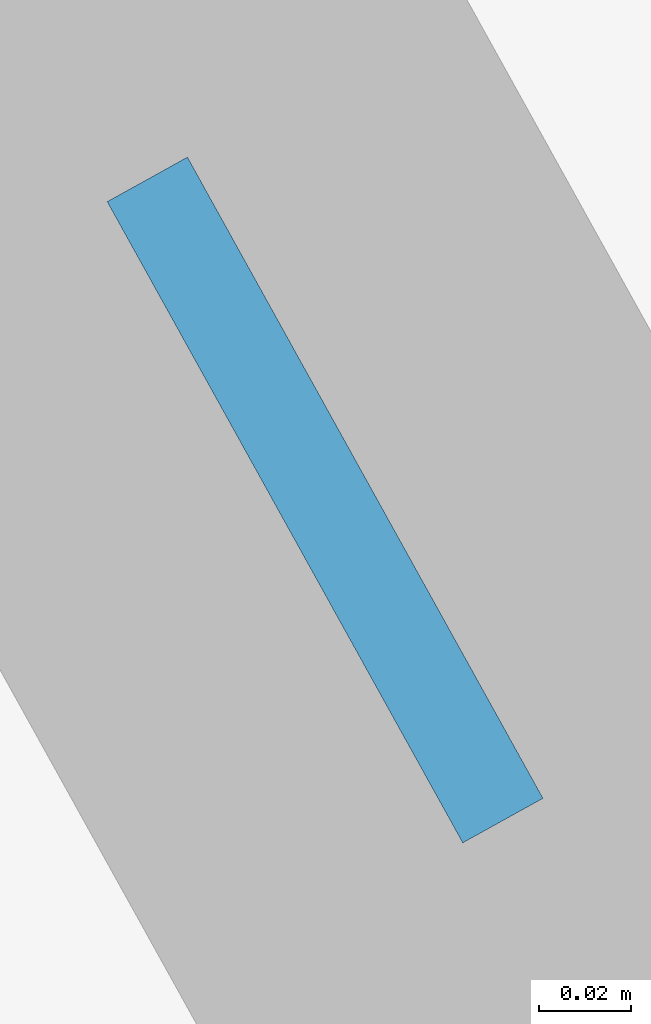
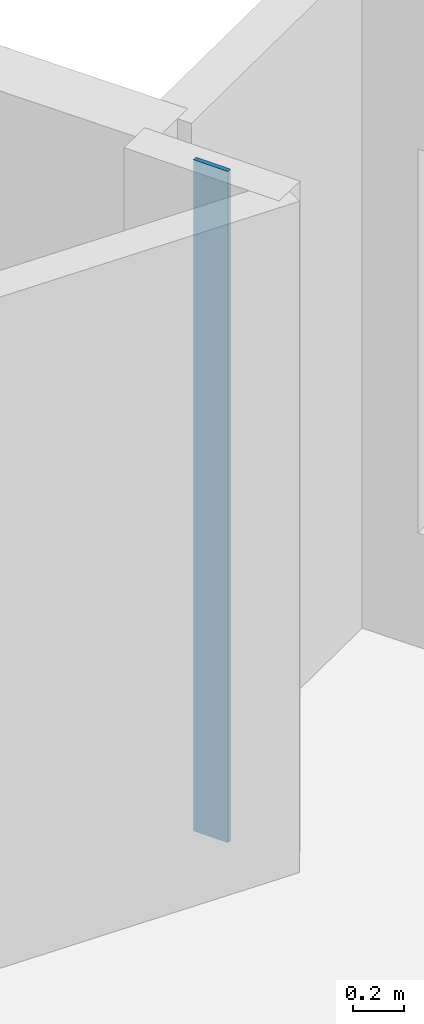
# One storey, part 4 of 10: 1 plate.
"""IFC4 building model written with IfcOpenShell, lengths in metres."""

import ifcopenshell
import ifcopenshell.guid

model = None  # the IFC model being written
_history = None  # IfcOwnerHistory: only IFC2X3 demands one
_inside = {}  # id of a spatial element -> (the spatial element, [elements in it])
_under = {}  # id of a project, library or spatial element -> (it, [spatial elements below it])
_declared = {}  # id of a project -> (the project, [libraries it declares])
_typed = {}  # id of a type object -> (the type object, [elements of that type])
_made_of = {}  # id of a material, layer set ... -> (it, [elements and type objects made of it])


def new_model(schema):
    """Start an empty IFC model of exactly this schema.

    Asked for "IFC4X3", IfcOpenShell would pick the latest addendum, in which some entities
    have other attributes; the version numbers below select the first issue.
    IFC2X3 requires an IfcOwnerHistory on every rooted entity: one is made here for all.
    """
    global model, _history
    if schema == "IFC4X3":
        model = ifcopenshell.file(schema_version=(4, 3, 0, 0))
    else:
        model = ifcopenshell.file(schema=schema)
    _inside.clear()
    _under.clear()
    _declared.clear()
    _typed.clear()
    _made_of.clear()
    _history = None
    if model.schema == "IFC2X3":
        org = make("IfcOrganization", Name="unknown")
        user = make(
            "IfcPersonAndOrganization",
            ThePerson=make("IfcPerson", FamilyName="unknown"),
            TheOrganization=org,
        )
        app = make(
            "IfcApplication",
            ApplicationDeveloper=org,
            Version="unknown",
            ApplicationFullName="unknown",
            ApplicationIdentifier="unknown",
        )
        _history = make(
            "IfcOwnerHistory",
            OwningUser=user,
            OwningApplication=app,
            ChangeAction="ADDED",
            CreationDate=0,
        )
    return model


def make(cls, **values):
    """One entity of the class cls with the attributes given. An attribute that is None is left unset."""
    return model.create_entity(
        cls, **{name: value for name, value in values.items() if value is not None}
    )


def rooted(cls, **values):
    """An entity with a GlobalId (a new one), such as an element, a storey or a relation."""
    return make(cls, GlobalId=ifcopenshell.guid.new(), OwnerHistory=_history, **values)


def si_unit(unit_type, name, prefix=None):
    """IfcSIUnit, for example si_unit("LENGTHUNIT", "METRE", prefix="MILLI")."""
    return make("IfcSIUnit", UnitType=unit_type, Prefix=prefix, Name=name)


def assignment(units):
    """IfcUnitAssignment: the units of a project."""
    return None if units is None else make("IfcUnitAssignment", Units=units)


def point(xyz):
    """IfcCartesianPoint."""
    return None if xyz is None else make("IfcCartesianPoint", Coordinates=xyz)


def direction(xyz):
    """IfcDirection."""
    return None if xyz is None else make("IfcDirection", DirectionRatios=xyz)


def frame(location, z_axis=None, x_axis=None):
    """IfcAxis2Placement3D, a coordinate frame: its origin and axes. An axis left out is left unset."""
    return make(
        "IfcAxis2Placement3D",
        Location=point(location),
        Axis=direction(z_axis),
        RefDirection=direction(x_axis),
    )


def frame_2d(location, x_axis=None):
    """IfcAxis2Placement2D, a coordinate frame in the plane: its origin and x axis."""
    return make(
        "IfcAxis2Placement2D", Location=point(location), RefDirection=direction(x_axis)
    )


def origin():
    """The frame at (0, 0, 0) with its axes left unset."""
    return frame((0.0, 0.0, 0.0))


def origin_2d():
    """The frame at (0, 0) in the plane with its x axis left unset."""
    return frame_2d((0.0, 0.0))


def place(relative_to, where):
    """IfcLocalPlacement: puts the frame where relative to a parent placement (None: the world)."""
    return make(
        "IfcLocalPlacement", PlacementRelTo=relative_to, RelativePlacement=where
    )


def context(
    kind, dimensions, precision=None, world=None, true_north=None, identifier=None
):
    """IfcGeometricRepresentationContext, for example the 3D "Model" context."""
    return make(
        "IfcGeometricRepresentationContext",
        ContextIdentifier=identifier,
        ContextType=kind,
        CoordinateSpaceDimension=dimensions,
        Precision=precision,
        WorldCoordinateSystem=world,
        TrueNorth=true_north,
    )


def subcontext(parent, identifier, kind, view, scale=None):
    """IfcGeometricRepresentationSubContext, for example "Body" below "Model"."""
    return make(
        "IfcGeometricRepresentationSubContext",
        ContextIdentifier=identifier,
        ContextType=kind,
        ParentContext=parent,
        TargetScale=scale,
        TargetView=view,
    )


def project(units=None, contexts=None):
    """IfcProject with its units and contexts."""
    return rooted(
        "IfcProject",
        Name="project",
        RepresentationContexts=contexts,
        UnitsInContext=assignment(units),
    )


def spatial(cls, under=None, at=None, **own):
    """A site, building, storey or space (cls), placed at a placement, below another one or the project."""
    s = rooted(cls, ObjectPlacement=at, **own)
    if under is not None:
        _under.setdefault(under.id(), (under, []))[1].append(s)
    return s


def profile(cls, at=None, kind="AREA", **sizes):
    """A parametric profile (cls). Its sizes go by their IFC names, for example OverallWidth=200.0."""
    return make(cls, ProfileType=kind, Position=at, **sizes)


def rectangle(**sizes):
    """IfcRectangleProfileDef."""
    return profile("IfcRectangleProfileDef", **sizes)


def extrude(swept, where, along, depth):
    """IfcExtrudedAreaSolid: the profile swept, set in the frame where, extruded along a direction by depth."""
    return make(
        "IfcExtrudedAreaSolid",
        SweptArea=swept,
        Position=where,
        ExtrudedDirection=direction(along),
        Depth=depth,
    )


def shape(context_of_items, identifier, shape_type, items):
    """IfcShapeRepresentation: the items that make up one representation, for example the "Body"."""
    return make(
        "IfcShapeRepresentation",
        ContextOfItems=context_of_items,
        RepresentationIdentifier=identifier,
        RepresentationType=shape_type,
        Items=items,
    )


def material(Name=None, Category=None):
    """IfcMaterial."""
    return make("IfcMaterial", Name=Name, Category=Category)


def layer(
    of_material, thickness, ventilated=None, Name=None, Category=None, Priority=None
):
    """IfcMaterialLayer: one layer of a wall or slab, of a material (None: an air gap)."""
    return make(
        "IfcMaterialLayer",
        Material=of_material,
        LayerThickness=thickness,
        IsVentilated=ventilated,
        Name=Name,
        Category=Category,
        Priority=Priority,
    )


def layer_set(layers, Name=None):
    """IfcMaterialLayerSet."""
    return make("IfcMaterialLayerSet", MaterialLayers=layers, LayerSetName=Name)


def made_of(thing, what):
    """Note that an element or type object is made of a material, layer set ...; save() writes the relation."""
    if what is not None:
        _made_of.setdefault(what.id(), (what, []))[1].append(thing)
    return thing


def type_object(cls, material=None, **own):
    """A type object (cls), such as IfcWallType, which elements share."""
    return made_of(rooted(cls, **own), material)


def element(
    cls,
    number,
    at=None,
    inside=None,
    cuts=None,
    type_object=None,
    material=None,
    context=None,
    identifier="Body",
    shape_type=None,
    held_by="IfcProductDefinitionShape",
    body=None,
    shapes=None,
    **own,
):
    """One element of the class cls, such as IfcWall. Its Tag is "e" and its number.

    at: its placement. inside: the storey or other place that contains it. cuts: it is an
    opening in that element (IfcRelVoidsElement). A single representation is given by context,
    identifier, shape_type and body (its items); several are given by shapes. held_by: the class
    of the entity that holds the representations. save() writes the other relations.
    """
    e = rooted(cls, Tag="e%d" % number, ObjectPlacement=at, **own)
    if body is not None:
        shapes = [shape(context, identifier, shape_type, body)]
    if shapes is not None:
        e.Representation = make(held_by, Representations=shapes)
    if inside is not None:
        _inside.setdefault(inside.id(), (inside, []))[1].append(e)
    if cuts is not None:
        rooted(
            "IfcRelVoidsElement", RelatingBuildingElement=cuts, RelatedOpeningElement=e
        )
    if type_object is not None:
        _typed.setdefault(type_object.id(), (type_object, []))[1].append(e)
    return made_of(e, material)


def aggregate(whole, parts):
    """IfcRelAggregates: a whole, such as a stair, and the parts it consists of."""
    return rooted("IfcRelAggregates", RelatingObject=whole, RelatedObjects=parts)


def save(model, path):
    """Write the relations noted so far, then the file.

    IfcRelAggregates (storeys below a building ...), IfcRelContainedInSpatialStructure (elements
    in a storey), IfcRelDefinesByType, IfcRelAssociatesMaterial and IfcRelDeclares: one each for
    every whole, place, type object, material and project.
    """
    for whole, parts in _under.values():
        aggregate(whole, parts)
    for where, things in _inside.values():
        rooted(
            "IfcRelContainedInSpatialStructure",
            RelatedElements=things,
            RelatingStructure=where,
        )
    for kind, things in _typed.values():
        rooted("IfcRelDefinesByType", RelatedObjects=things, RelatingType=kind)
    for what, things in _made_of.values():
        rooted("IfcRelAssociatesMaterial", RelatedObjects=things, RelatingMaterial=what)
    for by, libraries in _declared.values():
        rooted("IfcRelDeclares", RelatingContext=by, RelatedDefinitions=libraries)
    model.write(path)


model = new_model("IFC4")

# Units and contexts
model_context = context("Model", 3, precision=1e-05, world=origin(), true_north=direction((0.0, 1.0)))
body_context = subcontext(model_context, "Body", "Model", "MODEL_VIEW")
ifc_project = project(units=[si_unit("LENGTHUNIT", "METRE"), si_unit("AREAUNIT", "SQUARE_METRE"), si_unit("VOLUMEUNIT", "CUBIC_METRE"), si_unit("PLANEANGLEUNIT", "RADIAN"), si_unit("MASSUNIT", "GRAM", prefix="KILO")], contexts=[model_context])

# Site, building, storey
site_placement = place(None, origin())
site = spatial("IfcSite", under=ifc_project, at=site_placement, CompositionType="ELEMENT")
building_placement = place(site_placement, origin())
building = spatial("IfcBuilding", under=site, at=building_placement, Name="Miruveldt Soraemaru", CompositionType="ELEMENT")
storey_placement = place(building_placement, frame((0.0, 0.0, 163.39990234375)))
storey = spatial("IfcBuildingStorey", under=building, at=storey_placement, Name="L45", CompositionType="ELEMENT", Elevation=163.39990234375)

# Plate
ifc_material = material(Name="Anodised aluminium EN AW-6063 T6", Category="aluminium")
ifc_layer = layer(ifc_material, 0.02001953125, Name="Anodised aluminium EN AW-6063 T6", Category="aluminium")
ifc_layer_set = layer_set([ifc_layer], Name="Anodised aluminium EN AW-6063 T6")
plate_type = type_object("IfcPlateType", Name="PLT-PART-TRIM", PredefinedType="SHEET", material=ifc_layer_set)
plate_placement = place(storey_placement, frame((56.82568359375, 54.87744140625, 0.0), z_axis=(0.0, 0.0, 1.0), x_axis=(-0.484962262797, 0.874535078577, 0.0)))
element("IfcPlate", 1, at=plate_placement, inside=storey, type_object=plate_type, Name="L45 Partition Step Corner Trim Plate 002", PredefinedType="SHEET", context=body_context, shape_type="SweptSolid", body=[
    extrude(rectangle(XDim=0.159912109375, YDim=0.02001953125, at=origin_2d()), origin(), (0.0, 0.0, 1.0), 3.235107421875),
])

save(model, "model.ifc")
